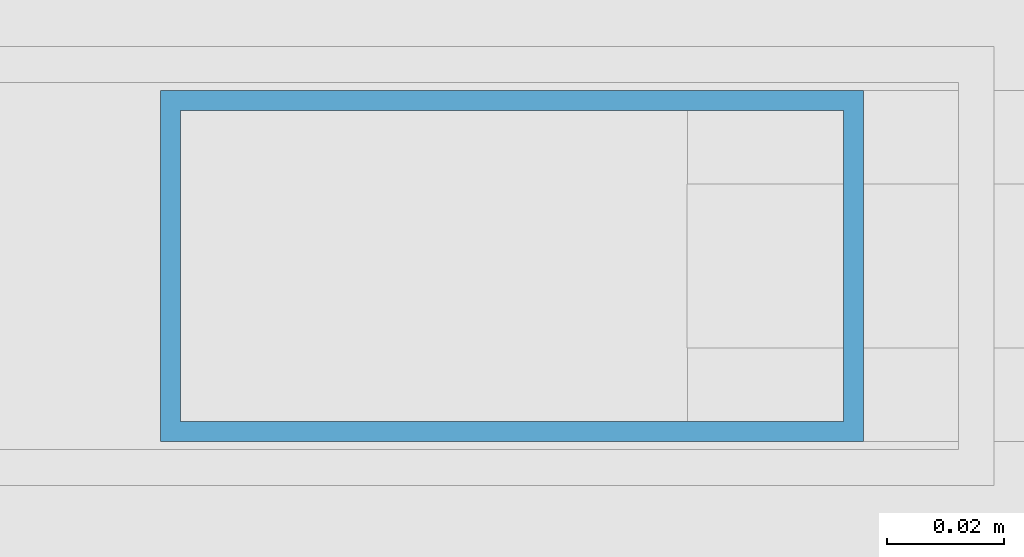
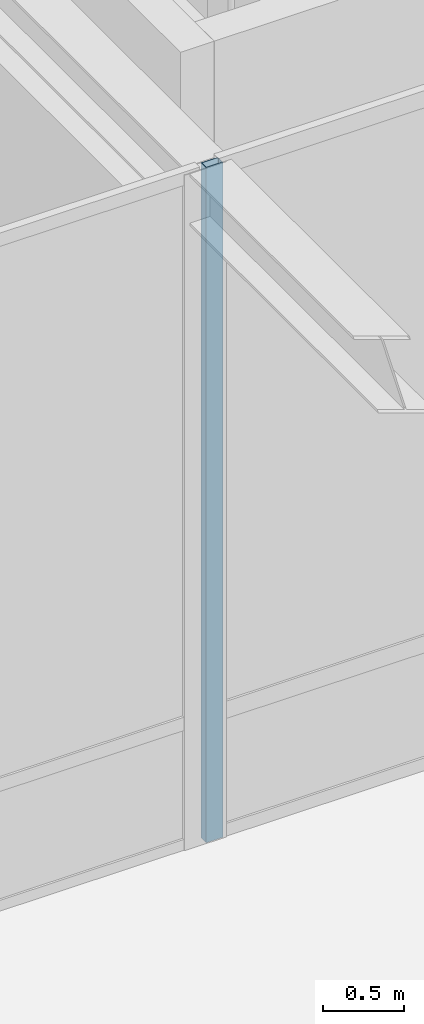
# One storey, part 21 of 143: 1 member, 1 element without a shape of its own.
"""IFC4 building model written with IfcOpenShell, lengths in metres."""

from ifc_helpers import new_model, si_unit, direction, frame, origin, origin_2d, place, context, subcontext, project, spatial, hollow_rectangle, extrude, material, layer, layer_set, material_profile, profile_set, type_object, element, aggregate, save


model = new_model("IFC4")

# Units and contexts
model_context = context("Model", 3, precision=1e-05, world=origin(), true_north=direction((0.0, 1.0)))
body_context = subcontext(model_context, "Body", "Model", "MODEL_VIEW")
ifc_project = project(units=[si_unit("LENGTHUNIT", "METRE"), si_unit("AREAUNIT", "SQUARE_METRE"), si_unit("VOLUMEUNIT", "CUBIC_METRE"), si_unit("PLANEANGLEUNIT", "RADIAN"), si_unit("MASSUNIT", "GRAM", prefix="KILO")], contexts=[model_context])

# Site, building, storey
site_placement = place(None, origin())
site = spatial("IfcSite", under=ifc_project, at=site_placement, CompositionType="ELEMENT")
building_placement = place(site_placement, origin())
building = spatial("IfcBuilding", under=site, at=building_placement, Name="Montelvaro Courts of Justice", CompositionType="ELEMENT")
storey_placement = place(building_placement, origin())
storey = spatial("IfcBuildingStorey", under=building, at=storey_placement, Name="L00", CompositionType="ELEMENT", Elevation=0.0)

# Curtain wall, member
ifc_material = material(Name="Anodised aluminium EN AW-6063", Category="aluminium")
ifc_layer = layer(ifc_material, 0.159912109375)
ifc_layer_set = layer_set([ifc_layer], Name="Anodised aluminium EN AW-6063")
curtain_wall_type = type_object("IfcCurtainWallType", Name="CurtainWall_11_900x508", PredefinedType="USERDEFINED", material=ifc_layer_set)
curtain_wall_placement = place(storey_placement, origin())
curtain_wall = element("IfcCurtainWall", 1, at=curtain_wall_placement, inside=storey, type_object=curtain_wall_type, Name="Curtain Wall CW-11 (L00)", ObjectType="CURTAIN WALL", PredefinedType="USERDEFINED")
ifc_material_profile = material_profile(ifc_material, hollow_rectangle(XDim=0.06005859375, YDim=0.1201171875, WallThickness=0.00341796875, at=origin_2d()), Name="ALU-M 60x120")
ifc_profile_set = profile_set([ifc_material_profile], Name="Anodised aluminium EN AW-6063")
member_type = type_object("IfcMemberType", Name="CurtainWall_Mullion_60x120", PredefinedType="MULLION", material=ifc_profile_set)
member_placement = place(storey_placement, frame((54.030029296875, 3.800048828125, 0.0), z_axis=(0.0, 0.0, 1.0), x_axis=(0.0, 1.0, 0.0)))
member = element("IfcMember", 2, at=member_placement, type_object=member_type, Name="CW-11 mullion 1", PredefinedType="MULLION", context=body_context, shape_type="SweptSolid", body=[
    extrude(hollow_rectangle(XDim=0.06005859375, YDim=0.1201171875, WallThickness=0.00341796875, at=origin_2d()), origin(), (0.0, 0.0, 1.0), 5.080078125),
])
aggregate(curtain_wall, [member])

save(model, "model.ifc")
